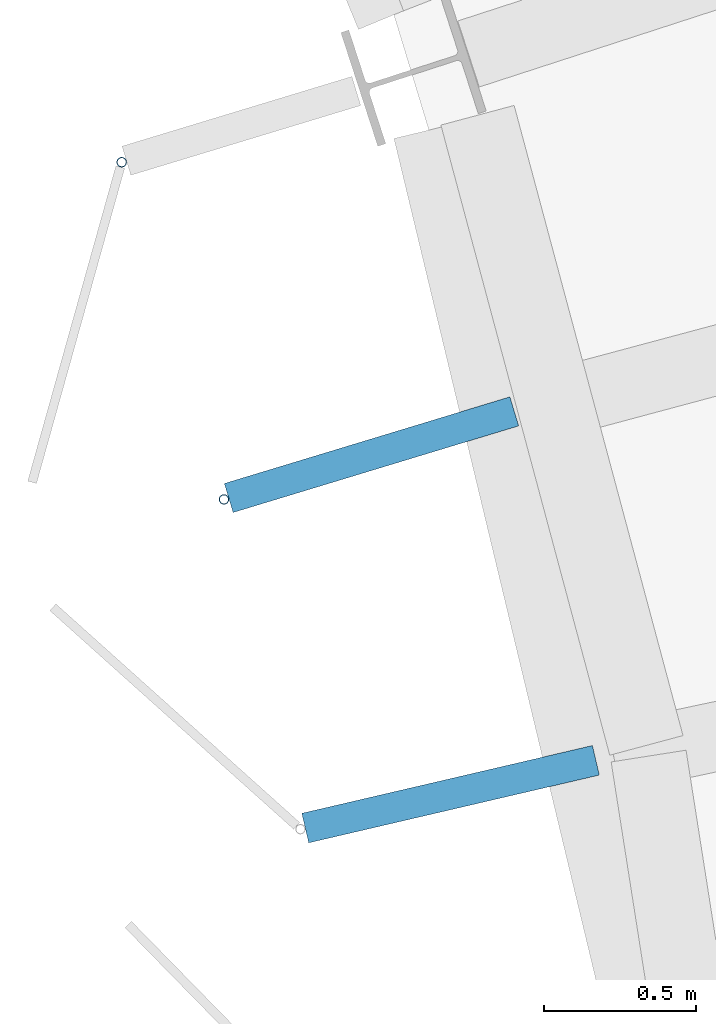
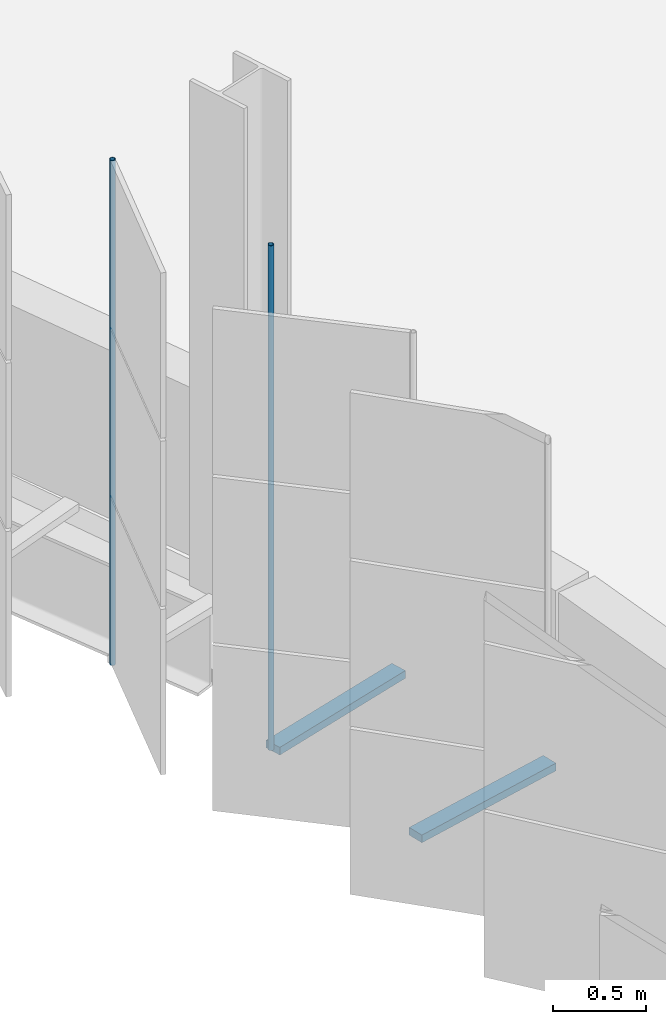
# One storey, part 117 of 214: 4 discrete accessories.
"""IFC4 building model written with IfcOpenShell, lengths in metres."""

import ifcopenshell
import ifcopenshell.guid

model = None  # the IFC model being written
_history = None  # IfcOwnerHistory: only IFC2X3 demands one
_inside = {}  # id of a spatial element -> (the spatial element, [elements in it])
_under = {}  # id of a project, library or spatial element -> (it, [spatial elements below it])
_declared = {}  # id of a project -> (the project, [libraries it declares])
_typed = {}  # id of a type object -> (the type object, [elements of that type])
_made_of = {}  # id of a material, layer set ... -> (it, [elements and type objects made of it])


def new_model(schema):
    """Start an empty IFC model of exactly this schema.

    Asked for "IFC4X3", IfcOpenShell would pick the latest addendum, in which some entities
    have other attributes; the version numbers below select the first issue.
    IFC2X3 requires an IfcOwnerHistory on every rooted entity: one is made here for all.
    """
    global model, _history
    if schema == "IFC4X3":
        model = ifcopenshell.file(schema_version=(4, 3, 0, 0))
    else:
        model = ifcopenshell.file(schema=schema)
    _inside.clear()
    _under.clear()
    _declared.clear()
    _typed.clear()
    _made_of.clear()
    _history = None
    if model.schema == "IFC2X3":
        org = make("IfcOrganization", Name="unknown")
        user = make(
            "IfcPersonAndOrganization",
            ThePerson=make("IfcPerson", FamilyName="unknown"),
            TheOrganization=org,
        )
        app = make(
            "IfcApplication",
            ApplicationDeveloper=org,
            Version="unknown",
            ApplicationFullName="unknown",
            ApplicationIdentifier="unknown",
        )
        _history = make(
            "IfcOwnerHistory",
            OwningUser=user,
            OwningApplication=app,
            ChangeAction="ADDED",
            CreationDate=0,
        )
    return model


def make(cls, **values):
    """One entity of the class cls with the attributes given. An attribute that is None is left unset."""
    return model.create_entity(
        cls, **{name: value for name, value in values.items() if value is not None}
    )


def rooted(cls, **values):
    """An entity with a GlobalId (a new one), such as an element, a storey or a relation."""
    return make(cls, GlobalId=ifcopenshell.guid.new(), OwnerHistory=_history, **values)


def si_unit(unit_type, name, prefix=None):
    """IfcSIUnit, for example si_unit("LENGTHUNIT", "METRE", prefix="MILLI")."""
    return make("IfcSIUnit", UnitType=unit_type, Prefix=prefix, Name=name)


def assignment(units):
    """IfcUnitAssignment: the units of a project."""
    return None if units is None else make("IfcUnitAssignment", Units=units)


def point(xyz):
    """IfcCartesianPoint."""
    return None if xyz is None else make("IfcCartesianPoint", Coordinates=xyz)


def direction(xyz):
    """IfcDirection."""
    return None if xyz is None else make("IfcDirection", DirectionRatios=xyz)


def frame(location, z_axis=None, x_axis=None):
    """IfcAxis2Placement3D, a coordinate frame: its origin and axes. An axis left out is left unset."""
    return make(
        "IfcAxis2Placement3D",
        Location=point(location),
        Axis=direction(z_axis),
        RefDirection=direction(x_axis),
    )


def frame_2d(location, x_axis=None):
    """IfcAxis2Placement2D, a coordinate frame in the plane: its origin and x axis."""
    return make(
        "IfcAxis2Placement2D", Location=point(location), RefDirection=direction(x_axis)
    )


def origin():
    """The frame at (0, 0, 0) with its axes left unset."""
    return frame((0.0, 0.0, 0.0))


def origin_2d():
    """The frame at (0, 0) in the plane with its x axis left unset."""
    return frame_2d((0.0, 0.0))


def place(relative_to, where):
    """IfcLocalPlacement: puts the frame where relative to a parent placement (None: the world)."""
    return make(
        "IfcLocalPlacement", PlacementRelTo=relative_to, RelativePlacement=where
    )


def context(
    kind, dimensions, precision=None, world=None, true_north=None, identifier=None
):
    """IfcGeometricRepresentationContext, for example the 3D "Model" context."""
    return make(
        "IfcGeometricRepresentationContext",
        ContextIdentifier=identifier,
        ContextType=kind,
        CoordinateSpaceDimension=dimensions,
        Precision=precision,
        WorldCoordinateSystem=world,
        TrueNorth=true_north,
    )


def subcontext(parent, identifier, kind, view, scale=None):
    """IfcGeometricRepresentationSubContext, for example "Body" below "Model"."""
    return make(
        "IfcGeometricRepresentationSubContext",
        ContextIdentifier=identifier,
        ContextType=kind,
        ParentContext=parent,
        TargetScale=scale,
        TargetView=view,
    )


def project(units=None, contexts=None):
    """IfcProject with its units and contexts."""
    return rooted(
        "IfcProject",
        Name="project",
        RepresentationContexts=contexts,
        UnitsInContext=assignment(units),
    )


def spatial(cls, under=None, at=None, **own):
    """A site, building, storey or space (cls), placed at a placement, below another one or the project."""
    s = rooted(cls, ObjectPlacement=at, **own)
    if under is not None:
        _under.setdefault(under.id(), (under, []))[1].append(s)
    return s


def profile(cls, at=None, kind="AREA", **sizes):
    """A parametric profile (cls). Its sizes go by their IFC names, for example OverallWidth=200.0."""
    return make(cls, ProfileType=kind, Position=at, **sizes)


def rectangle(**sizes):
    """IfcRectangleProfileDef."""
    return profile("IfcRectangleProfileDef", **sizes)


def hollow_circle(**sizes):
    """IfcCircleHollowProfileDef."""
    return profile("IfcCircleHollowProfileDef", **sizes)


def extrude(swept, where, along, depth):
    """IfcExtrudedAreaSolid: the profile swept, set in the frame where, extruded along a direction by depth."""
    return make(
        "IfcExtrudedAreaSolid",
        SweptArea=swept,
        Position=where,
        ExtrudedDirection=direction(along),
        Depth=depth,
    )


def shape(context_of_items, identifier, shape_type, items):
    """IfcShapeRepresentation: the items that make up one representation, for example the "Body"."""
    return make(
        "IfcShapeRepresentation",
        ContextOfItems=context_of_items,
        RepresentationIdentifier=identifier,
        RepresentationType=shape_type,
        Items=items,
    )


def material(Name=None, Category=None):
    """IfcMaterial."""
    return make("IfcMaterial", Name=Name, Category=Category)


def material_profile(
    of_material, cross_section, Name=None, Category=None, Priority=None
):
    """IfcMaterialProfile: a cross section and its material."""
    return make(
        "IfcMaterialProfile",
        Name=Name,
        Material=of_material,
        Profile=cross_section,
        Priority=Priority,
        Category=Category,
    )


def profile_set(profiles, Name=None, composite=None):
    """IfcMaterialProfileSet."""
    return make(
        "IfcMaterialProfileSet",
        Name=Name,
        MaterialProfiles=profiles,
        CompositeProfile=composite,
    )


def made_of(thing, what):
    """Note that an element or type object is made of a material, layer set ...; save() writes the relation."""
    if what is not None:
        _made_of.setdefault(what.id(), (what, []))[1].append(thing)
    return thing


def type_object(cls, material=None, **own):
    """A type object (cls), such as IfcWallType, which elements share."""
    return made_of(rooted(cls, **own), material)


def element(
    cls,
    number,
    at=None,
    inside=None,
    cuts=None,
    type_object=None,
    material=None,
    context=None,
    identifier="Body",
    shape_type=None,
    held_by="IfcProductDefinitionShape",
    body=None,
    shapes=None,
    **own,
):
    """One element of the class cls, such as IfcWall. Its Tag is "e" and its number.

    at: its placement. inside: the storey or other place that contains it. cuts: it is an
    opening in that element (IfcRelVoidsElement). A single representation is given by context,
    identifier, shape_type and body (its items); several are given by shapes. held_by: the class
    of the entity that holds the representations. save() writes the other relations.
    """
    e = rooted(cls, Tag="e%d" % number, ObjectPlacement=at, **own)
    if body is not None:
        shapes = [shape(context, identifier, shape_type, body)]
    if shapes is not None:
        e.Representation = make(held_by, Representations=shapes)
    if inside is not None:
        _inside.setdefault(inside.id(), (inside, []))[1].append(e)
    if cuts is not None:
        rooted(
            "IfcRelVoidsElement", RelatingBuildingElement=cuts, RelatedOpeningElement=e
        )
    if type_object is not None:
        _typed.setdefault(type_object.id(), (type_object, []))[1].append(e)
    return made_of(e, material)


def aggregate(whole, parts):
    """IfcRelAggregates: a whole, such as a stair, and the parts it consists of."""
    return rooted("IfcRelAggregates", RelatingObject=whole, RelatedObjects=parts)


def save(model, path):
    """Write the relations noted so far, then the file.

    IfcRelAggregates (storeys below a building ...), IfcRelContainedInSpatialStructure (elements
    in a storey), IfcRelDefinesByType, IfcRelAssociatesMaterial and IfcRelDeclares: one each for
    every whole, place, type object, material and project.
    """
    for whole, parts in _under.values():
        aggregate(whole, parts)
    for where, things in _inside.values():
        rooted(
            "IfcRelContainedInSpatialStructure",
            RelatedElements=things,
            RelatingStructure=where,
        )
    for kind, things in _typed.values():
        rooted("IfcRelDefinesByType", RelatedObjects=things, RelatingType=kind)
    for what, things in _made_of.values():
        rooted("IfcRelAssociatesMaterial", RelatedObjects=things, RelatingMaterial=what)
    for by, libraries in _declared.values():
        rooted("IfcRelDeclares", RelatingContext=by, RelatedDefinitions=libraries)
    model.write(path)


model = new_model("IFC4")

# Units and contexts
model_context = context("Model", 3, precision=1e-05, world=origin(), true_north=direction((0.0, 1.0)))
body_context = subcontext(model_context, "Body", "Model", "MODEL_VIEW")
ifc_project = project(units=[si_unit("LENGTHUNIT", "METRE"), si_unit("AREAUNIT", "SQUARE_METRE"), si_unit("VOLUMEUNIT", "CUBIC_METRE"), si_unit("PLANEANGLEUNIT", "RADIAN"), si_unit("MASSUNIT", "GRAM", prefix="KILO")], contexts=[model_context])

# Site, building, storey
site_placement = place(None, origin())
site = spatial("IfcSite", under=ifc_project, at=site_placement, CompositionType="ELEMENT")
building_placement = place(site_placement, origin())
building = spatial("IfcBuilding", under=site, at=building_placement, Name="Parallax Yard Mobility Hub", CompositionType="ELEMENT")
storey_placement = place(building_placement, frame((0.0, 0.0, 3.300048828125)))
storey = spatial("IfcBuildingStorey", under=building, at=storey_placement, Name="L01", CompositionType="ELEMENT", Elevation=3.300048828125)

# Discrete accessories
ifc_material_1 = material(Name="Steel ASTM A36, hot-dip galvanised", Category="steel")
discrete_accessory_type_1 = type_object("IfcDiscreteAccessoryType", Name="Hinge bracket plate 100x50", PredefinedType="BRACKET", material=ifc_material_1)
for number, where, z_axis, x_axis, name in (
    (1, (193.760009765625, 95.690185546875, -0.02490234375), (0.0, 0.0, 1.0), (-0.956940335732, -0.290284677254, 0.0), "Hinge bracket plate bay 22.2 level L01"),
    (2, (194.020751953125, 94.570556640625, -0.02490234375), (0.0, 0.0, 1.0), (-0.973876979277, -0.227076263034, 0.0), "Hinge bracket plate bay 22.3 level L01"),
):
    element("IfcDiscreteAccessory", number, at=place(storey_placement, frame(where, z_axis=z_axis, x_axis=x_axis)), inside=storey, type_object=discrete_accessory_type_1, Name=name, PredefinedType="BRACKET", context=body_context, shape_type="SweptSolid", body=[
        extrude(rectangle(XDim=0.984130859375, YDim=0.10009765625, at=origin_2d()), origin(), (0.0, 0.0, 1.0), 0.050048828125),
    ])
ifc_material_2 = material(Name="Steel ASTM A500 Gr C, hot-dip galvanised", Category="steel")
ifc_material_profile = material_profile(ifc_material_2, hollow_circle(Radius=0.016845703125, WallThickness=0.003173828125, at=origin_2d()), Name="CHS 33.7x3.2")
ifc_profile_set = profile_set([ifc_material_profile], Name="Steel ASTM A500 Gr C, hot-dip galvanised")
discrete_accessory_type_2 = type_object("IfcDiscreteAccessoryType", Name="Hinge post CHS 33.7x3.2", PredefinedType="BRACKET", material=ifc_profile_set)
for number, where, z_axis, x_axis, name in (
    (3, (192.93603515625, 96.65478515625, 0.0), (0.0, 0.0, 1.0), (1.0, 0.0, 0.0), "Hinge post bay 22.1 level L01"),
    (4, (193.2734375, 95.542724609375, 0.0), (0.0, 0.0, 1.0), (1.0, 0.0, 0.0), "Hinge post bay 22.2 level L01"),
):
    element("IfcDiscreteAccessory", number, at=place(storey_placement, frame(where, z_axis=z_axis, x_axis=x_axis)), inside=storey, type_object=discrete_accessory_type_2, Name=name, PredefinedType="BRACKET", context=body_context, shape_type="SweptSolid", body=[
        extrude(hollow_circle(Radius=0.016845703125, WallThickness=0.003173828125, at=origin_2d()), origin(), (0.0, 0.0, 1.0), 3.300048828125),
    ])

save(model, "model.ifc")
